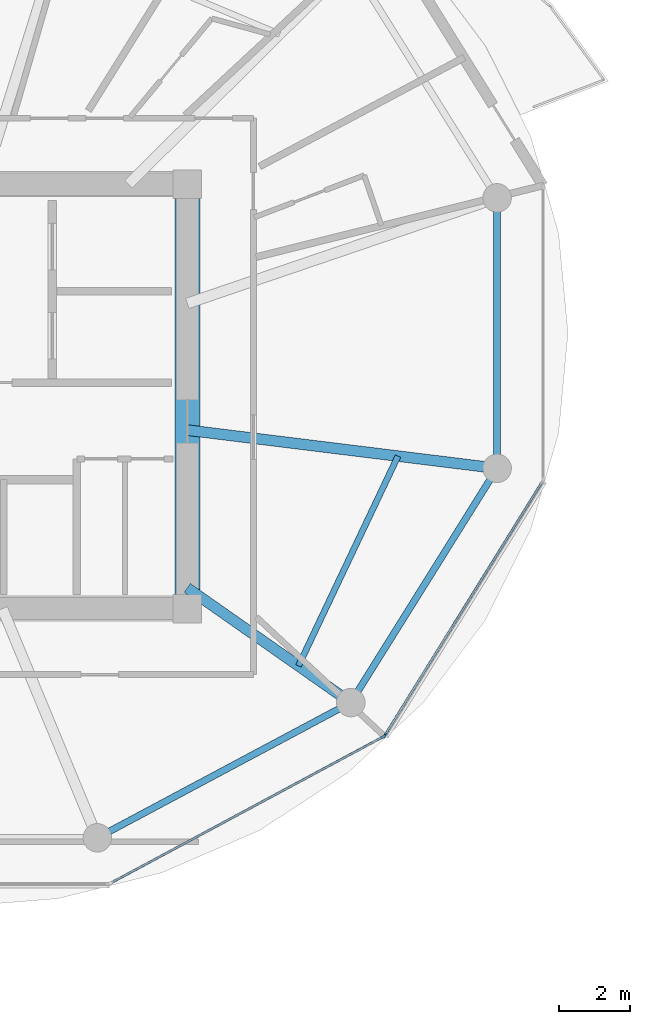
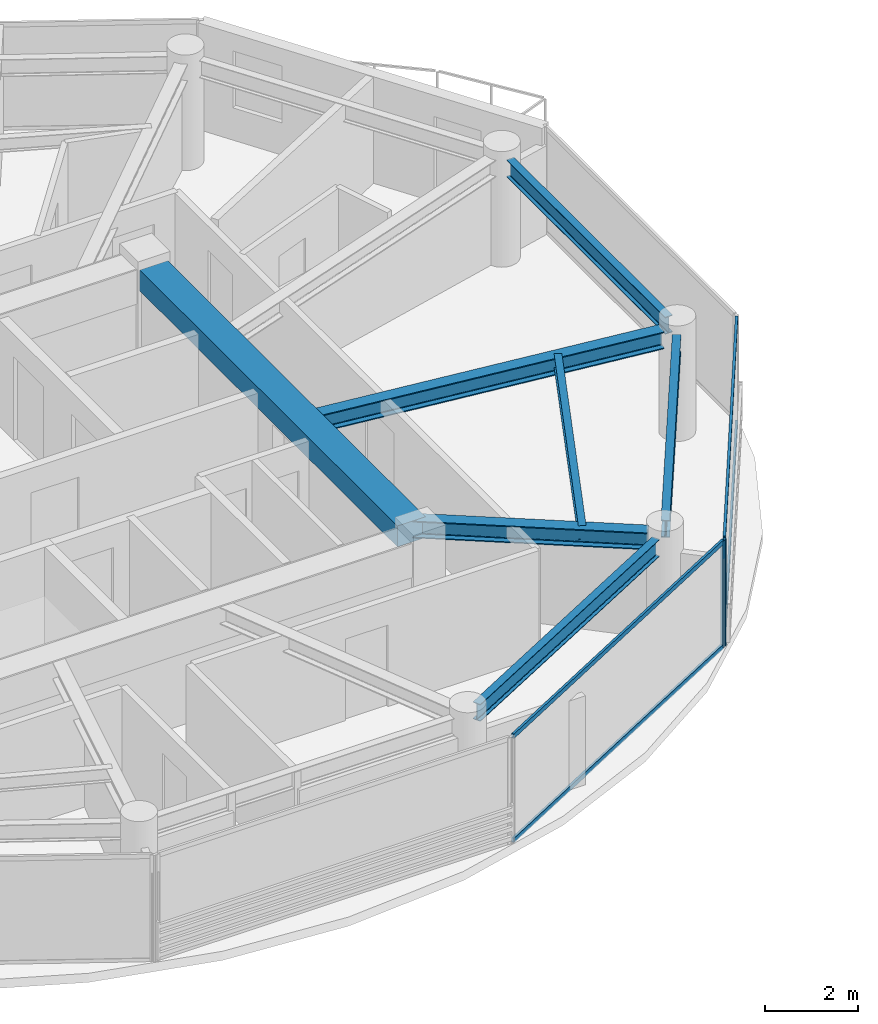
# One storey, part 3 of 21: 7 beams, 6 members, 2 elements without a shape of their own.
"""IFC4 building model written with IfcOpenShell, lengths in metres."""

import ifcopenshell
import ifcopenshell.guid

model = None  # the IFC model being written
_history = None  # IfcOwnerHistory: only IFC2X3 demands one
_inside = {}  # id of a spatial element -> (the spatial element, [elements in it])
_under = {}  # id of a project, library or spatial element -> (it, [spatial elements below it])
_declared = {}  # id of a project -> (the project, [libraries it declares])
_typed = {}  # id of a type object -> (the type object, [elements of that type])
_made_of = {}  # id of a material, layer set ... -> (it, [elements and type objects made of it])


def new_model(schema):
    """Start an empty IFC model of exactly this schema.

    Asked for "IFC4X3", IfcOpenShell would pick the latest addendum, in which some entities
    have other attributes; the version numbers below select the first issue.
    IFC2X3 requires an IfcOwnerHistory on every rooted entity: one is made here for all.
    """
    global model, _history
    if schema == "IFC4X3":
        model = ifcopenshell.file(schema_version=(4, 3, 0, 0))
    else:
        model = ifcopenshell.file(schema=schema)
    _inside.clear()
    _under.clear()
    _declared.clear()
    _typed.clear()
    _made_of.clear()
    _history = None
    if model.schema == "IFC2X3":
        org = make("IfcOrganization", Name="unknown")
        user = make(
            "IfcPersonAndOrganization",
            ThePerson=make("IfcPerson", FamilyName="unknown"),
            TheOrganization=org,
        )
        app = make(
            "IfcApplication",
            ApplicationDeveloper=org,
            Version="unknown",
            ApplicationFullName="unknown",
            ApplicationIdentifier="unknown",
        )
        _history = make(
            "IfcOwnerHistory",
            OwningUser=user,
            OwningApplication=app,
            ChangeAction="ADDED",
            CreationDate=0,
        )
    return model


def make(cls, **values):
    """One entity of the class cls with the attributes given. An attribute that is None is left unset."""
    return model.create_entity(
        cls, **{name: value for name, value in values.items() if value is not None}
    )


def rooted(cls, **values):
    """An entity with a GlobalId (a new one), such as an element, a storey or a relation."""
    return make(cls, GlobalId=ifcopenshell.guid.new(), OwnerHistory=_history, **values)


def si_unit(unit_type, name, prefix=None):
    """IfcSIUnit, for example si_unit("LENGTHUNIT", "METRE", prefix="MILLI")."""
    return make("IfcSIUnit", UnitType=unit_type, Prefix=prefix, Name=name)


def assignment(units):
    """IfcUnitAssignment: the units of a project."""
    return None if units is None else make("IfcUnitAssignment", Units=units)


def point(xyz):
    """IfcCartesianPoint."""
    return None if xyz is None else make("IfcCartesianPoint", Coordinates=xyz)


def direction(xyz):
    """IfcDirection."""
    return None if xyz is None else make("IfcDirection", DirectionRatios=xyz)


def frame(location, z_axis=None, x_axis=None):
    """IfcAxis2Placement3D, a coordinate frame: its origin and axes. An axis left out is left unset."""
    return make(
        "IfcAxis2Placement3D",
        Location=point(location),
        Axis=direction(z_axis),
        RefDirection=direction(x_axis),
    )


def frame_2d(location, x_axis=None):
    """IfcAxis2Placement2D, a coordinate frame in the plane: its origin and x axis."""
    return make(
        "IfcAxis2Placement2D", Location=point(location), RefDirection=direction(x_axis)
    )


def origin():
    """The frame at (0, 0, 0) with its axes left unset."""
    return frame((0.0, 0.0, 0.0))


def origin_2d():
    """The frame at (0, 0) in the plane with its x axis left unset."""
    return frame_2d((0.0, 0.0))


def place(relative_to, where):
    """IfcLocalPlacement: puts the frame where relative to a parent placement (None: the world)."""
    return make(
        "IfcLocalPlacement", PlacementRelTo=relative_to, RelativePlacement=where
    )


def context(
    kind, dimensions, precision=None, world=None, true_north=None, identifier=None
):
    """IfcGeometricRepresentationContext, for example the 3D "Model" context."""
    return make(
        "IfcGeometricRepresentationContext",
        ContextIdentifier=identifier,
        ContextType=kind,
        CoordinateSpaceDimension=dimensions,
        Precision=precision,
        WorldCoordinateSystem=world,
        TrueNorth=true_north,
    )


def subcontext(parent, identifier, kind, view, scale=None):
    """IfcGeometricRepresentationSubContext, for example "Body" below "Model"."""
    return make(
        "IfcGeometricRepresentationSubContext",
        ContextIdentifier=identifier,
        ContextType=kind,
        ParentContext=parent,
        TargetScale=scale,
        TargetView=view,
    )


def project(units=None, contexts=None):
    """IfcProject with its units and contexts."""
    return rooted(
        "IfcProject",
        Name="project",
        RepresentationContexts=contexts,
        UnitsInContext=assignment(units),
    )


def spatial(cls, under=None, at=None, **own):
    """A site, building, storey or space (cls), placed at a placement, below another one or the project."""
    s = rooted(cls, ObjectPlacement=at, **own)
    if under is not None:
        _under.setdefault(under.id(), (under, []))[1].append(s)
    return s


def profile(cls, at=None, kind="AREA", **sizes):
    """A parametric profile (cls). Its sizes go by their IFC names, for example OverallWidth=200.0."""
    return make(cls, ProfileType=kind, Position=at, **sizes)


def rectangle(**sizes):
    """IfcRectangleProfileDef."""
    return profile("IfcRectangleProfileDef", **sizes)


def i_section(**sizes):
    """IfcIShapeProfileDef."""
    return profile("IfcIShapeProfileDef", **sizes)


def extrude(swept, where, along, depth):
    """IfcExtrudedAreaSolid: the profile swept, set in the frame where, extruded along a direction by depth."""
    return make(
        "IfcExtrudedAreaSolid",
        SweptArea=swept,
        Position=where,
        ExtrudedDirection=direction(along),
        Depth=depth,
    )


def shape(context_of_items, identifier, shape_type, items):
    """IfcShapeRepresentation: the items that make up one representation, for example the "Body"."""
    return make(
        "IfcShapeRepresentation",
        ContextOfItems=context_of_items,
        RepresentationIdentifier=identifier,
        RepresentationType=shape_type,
        Items=items,
    )


def source(mapping_origin, context_of_items, identifier, shape_type, items):
    """IfcRepresentationMap: a shape defined once, which mapped items show again and again."""
    return make(
        "IfcRepresentationMap",
        MappingOrigin=mapping_origin,
        MappedRepresentation=shape(context_of_items, identifier, shape_type, items),
    )


def transform(
    local_origin,
    x_axis=None,
    y_axis=None,
    z_axis=None,
    scale=None,
    scale2=None,
    scale3=None,
    uniform=True,
):
    """IfcCartesianTransformationOperator3D, or its non-uniform kind. x_axis, y_axis, z_axis: its Axis1, 2, 3."""
    if uniform:
        return make(
            "IfcCartesianTransformationOperator3D",
            Axis1=direction(x_axis),
            Axis2=direction(y_axis),
            LocalOrigin=point(local_origin),
            Scale=scale,
            Axis3=direction(z_axis),
        )
    return make(
        "IfcCartesianTransformationOperator3DnonUniform",
        Axis1=direction(x_axis),
        Axis2=direction(y_axis),
        LocalOrigin=point(local_origin),
        Scale=scale,
        Axis3=direction(z_axis),
        Scale2=scale2,
        Scale3=scale3,
    )


def mapped(mapping_source, mapping_target):
    """IfcMappedItem: shows the shape of a source again, moved by a transform."""
    return make(
        "IfcMappedItem", MappingSource=mapping_source, MappingTarget=mapping_target
    )


def material(Name=None, Category=None):
    """IfcMaterial."""
    return make("IfcMaterial", Name=Name, Category=Category)


def layer(
    of_material, thickness, ventilated=None, Name=None, Category=None, Priority=None
):
    """IfcMaterialLayer: one layer of a wall or slab, of a material (None: an air gap)."""
    return make(
        "IfcMaterialLayer",
        Material=of_material,
        LayerThickness=thickness,
        IsVentilated=ventilated,
        Name=Name,
        Category=Category,
        Priority=Priority,
    )


def layer_set(layers, Name=None):
    """IfcMaterialLayerSet."""
    return make("IfcMaterialLayerSet", MaterialLayers=layers, LayerSetName=Name)


def material_profile(
    of_material, cross_section, Name=None, Category=None, Priority=None
):
    """IfcMaterialProfile: a cross section and its material."""
    return make(
        "IfcMaterialProfile",
        Name=Name,
        Material=of_material,
        Profile=cross_section,
        Priority=Priority,
        Category=Category,
    )


def profile_set(profiles, Name=None, composite=None):
    """IfcMaterialProfileSet."""
    return make(
        "IfcMaterialProfileSet",
        Name=Name,
        MaterialProfiles=profiles,
        CompositeProfile=composite,
    )


def made_of(thing, what):
    """Note that an element or type object is made of a material, layer set ...; save() writes the relation."""
    if what is not None:
        _made_of.setdefault(what.id(), (what, []))[1].append(thing)
    return thing


def type_object(cls, material=None, **own):
    """A type object (cls), such as IfcWallType, which elements share."""
    return made_of(rooted(cls, **own), material)


def type_shapes(of_type, sources):
    """Give a type object the sources (RepresentationMaps) that its elements show as mapped items."""
    of_type.RepresentationMaps = sources


def element(
    cls,
    number,
    at=None,
    inside=None,
    cuts=None,
    type_object=None,
    material=None,
    context=None,
    identifier="Body",
    shape_type=None,
    held_by="IfcProductDefinitionShape",
    body=None,
    shapes=None,
    **own,
):
    """One element of the class cls, such as IfcWall. Its Tag is "e" and its number.

    at: its placement. inside: the storey or other place that contains it. cuts: it is an
    opening in that element (IfcRelVoidsElement). A single representation is given by context,
    identifier, shape_type and body (its items); several are given by shapes. held_by: the class
    of the entity that holds the representations. save() writes the other relations.
    """
    e = rooted(cls, Tag="e%d" % number, ObjectPlacement=at, **own)
    if body is not None:
        shapes = [shape(context, identifier, shape_type, body)]
    if shapes is not None:
        e.Representation = make(held_by, Representations=shapes)
    if inside is not None:
        _inside.setdefault(inside.id(), (inside, []))[1].append(e)
    if cuts is not None:
        rooted(
            "IfcRelVoidsElement", RelatingBuildingElement=cuts, RelatedOpeningElement=e
        )
    if type_object is not None:
        _typed.setdefault(type_object.id(), (type_object, []))[1].append(e)
    return made_of(e, material)


def aggregate(whole, parts):
    """IfcRelAggregates: a whole, such as a stair, and the parts it consists of."""
    return rooted("IfcRelAggregates", RelatingObject=whole, RelatedObjects=parts)


def save(model, path):
    """Write the relations noted so far, then the file.

    IfcRelAggregates (storeys below a building ...), IfcRelContainedInSpatialStructure (elements
    in a storey), IfcRelDefinesByType, IfcRelAssociatesMaterial and IfcRelDeclares: one each for
    every whole, place, type object, material and project.
    """
    for whole, parts in _under.values():
        aggregate(whole, parts)
    for where, things in _inside.values():
        rooted(
            "IfcRelContainedInSpatialStructure",
            RelatedElements=things,
            RelatingStructure=where,
        )
    for kind, things in _typed.values():
        rooted("IfcRelDefinesByType", RelatedObjects=things, RelatingType=kind)
    for what, things in _made_of.values():
        rooted("IfcRelAssociatesMaterial", RelatedObjects=things, RelatingMaterial=what)
    for by, libraries in _declared.values():
        rooted("IfcRelDeclares", RelatingContext=by, RelatedDefinitions=libraries)
    model.write(path)


model = new_model("IFC4")

# Units and contexts
model_context = context("Model", 3, precision=1e-05, world=origin(), true_north=direction((0.0, 1.0)))
body_context = subcontext(model_context, "Body", "Model", "MODEL_VIEW")
ifc_project = project(units=[si_unit("LENGTHUNIT", "METRE"), si_unit("AREAUNIT", "SQUARE_METRE"), si_unit("VOLUMEUNIT", "CUBIC_METRE"), si_unit("PLANEANGLEUNIT", "RADIAN"), si_unit("MASSUNIT", "GRAM", prefix="KILO")], contexts=[model_context])

# Site, building, storey
site_placement = place(None, origin())
site = spatial("IfcSite", under=ifc_project, at=site_placement, CompositionType="ELEMENT")
building_placement = place(site_placement, origin())
building = spatial("IfcBuilding", under=site, at=building_placement, Name="Norrkilde Senior Care Towers", CompositionType="ELEMENT")
storey_placement = place(building_placement, frame((0.0, 0.0, 143.449951171875)))
storey = spatial("IfcBuildingStorey", under=building, at=storey_placement, Name="L44", CompositionType="ELEMENT", Elevation=143.449951171875)

# Beams
ifc_material_1 = material(Name="Concrete C60/75", Category="concrete")
ifc_material_profile_1 = material_profile(ifc_material_1, rectangle(XDim=0.699951171875, YDim=0.550048828125, at=origin_2d()), Name="RC BM 700x550")
ifc_profile_set_1 = profile_set([ifc_material_profile_1], Name="Concrete C60/75")
beam_type_1 = type_object("IfcBeamType", Name="Core Portal Coupling Beam 700x550", PredefinedType="USERDEFINED", material=ifc_profile_set_1)
shared_shape_1 = source(origin(), body_context, "Body", "SweptSolid", [
    extrude(rectangle(XDim=0.699951171875, YDim=0.550048828125, at=origin_2d()), origin(), (0.0, 0.0, 1.0), 11.14013671875),
])
type_shapes(beam_type_1, [shared_shape_1])
beam_1_placement = place(storey_placement, frame((-20.35009765625, -5.570068359375, 2.53515625), z_axis=(0.0, 1.0, 0.0), x_axis=(-1.0, 0.0, 0.0)))
element("IfcBeam", 1, at=beam_1_placement, inside=storey, type_object=beam_type_1, Name="L44 Core W E Coupling Girder", ObjectType="GIRDER", PredefinedType="USERDEFINED", context=body_context, shape_type="MappedRepresentation", body=[
    mapped(shared_shape_1, transform((0.0, 0.0, 0.0), x_axis=(1.0, 0.0, 0.0), y_axis=(0.0, 1.0, 0.0), z_axis=(0.0, 0.0, 1.0), scale=1.0)),
])
ifc_material_2 = material(Name="Steel S355", Category="steel")
ifc_material_profile_2 = material_profile(ifc_material_2, i_section(OverallWidth=0.18994140625, OverallDepth=0.449951171875, WebThickness=0.009521484375, FlangeThickness=0.0146484375, FilletRadius=0.02099609375, at=origin_2d()), Name="IPE 450")
ifc_profile_set_2 = profile_set([ifc_material_profile_2], Name="Steel S355")
beam_type_2 = type_object("IfcBeamType", Name="Perimeter Ring Spandrel Z3 IPE450", PredefinedType="SPANDREL", material=ifc_profile_set_2)
shared_shape_2 = source(origin(), body_context, "Body", "SweptSolid", [
    extrude(i_section(OverallWidth=0.18994140625, OverallDepth=0.449951171875, WebThickness=0.009521484375, FlangeThickness=0.0146484375, FilletRadius=0.02099609375, at=origin_2d()), origin(), (0.0, 0.0, 1.0), 6.86328125),
])
beam_2_placement = place(storey_placement, frame((-11.6650390625, -1.65625, 2.5849609375), z_axis=(0.0, 1.0, 0.0), x_axis=(-1.0, 0.0, 0.0)))
element("IfcBeam", 2, at=beam_2_placement, inside=storey, type_object=beam_type_2, Name="L44 Drum W Perimeter Spandrel 12", PredefinedType="SPANDREL", context=body_context, shape_type="MappedRepresentation", body=[
    mapped(shared_shape_2, transform((0.0, 0.0, 0.0), x_axis=(1.0, 0.0, 0.0), y_axis=(0.0, 1.0, 0.0), z_axis=(0.0, 0.0, 1.0), scale=1.0)),
])
shared_shape_3 = source(origin(), body_context, "Body", "SweptSolid", [
    extrude(i_section(OverallWidth=0.18994140625, OverallDepth=0.449951171875, WebThickness=0.009521484375, FlangeThickness=0.0146484375, FilletRadius=0.02099609375, at=origin_2d()), origin(), (0.0, 0.0, 1.0), 7.023193359375),
])
beam_3_placement = place(storey_placement, frame((-15.57666015625, -8.2783203125, 2.5849609375), z_axis=(0.529805197269, 0.848119362441, 0.0), x_axis=(-0.848119362441, 0.529805197269, 0.0)))
element("IfcBeam", 3, at=beam_3_placement, inside=storey, type_object=beam_type_2, Name="L44 Drum W Perimeter Spandrel 11", PredefinedType="SPANDREL", context=body_context, shape_type="MappedRepresentation", body=[
    mapped(shared_shape_3, transform((0.0, 0.0, 0.0), x_axis=(1.0, 0.0, 0.0), y_axis=(0.0, 1.0, 0.0), z_axis=(0.0, 0.0, 1.0), scale=1.0)),
])
shared_shape_4 = source(origin(), body_context, "Body", "SweptSolid", [
    extrude(i_section(OverallWidth=0.18994140625, OverallDepth=0.449951171875, WebThickness=0.009521484375, FlangeThickness=0.0146484375, FilletRadius=0.02099609375, at=origin_2d()), origin(), (0.0, 0.0, 1.0), 7.333984375),
])
type_shapes(beam_type_2, [shared_shape_2, shared_shape_3, shared_shape_4])
beam_4_placement = place(storey_placement, frame((-22.55517578125, -12.2060546875, 2.5849609375), z_axis=(0.882234038987, 0.470811109101, 0.0), x_axis=(-0.470811109101, 0.882234038987, 0.0)))
element("IfcBeam", 4, at=beam_4_placement, inside=storey, type_object=beam_type_2, Name="L44 Drum W Perimeter Spandrel 10", PredefinedType="SPANDREL", context=body_context, shape_type="MappedRepresentation", body=[
    mapped(shared_shape_4, transform((0.0, 0.0, 0.0), x_axis=(1.0, 0.0, 0.0), y_axis=(0.0, 1.0, 0.0), z_axis=(0.0, 0.0, 1.0), scale=1.0)),
])
ifc_material_profile_3 = material_profile(ifc_material_2, i_section(OverallWidth=0.300048828125, OverallDepth=0.449951171875, WebThickness=0.013916015625, FlangeThickness=0.02587890625, FilletRadius=0.027099609375, at=origin_2d()), Name="HEB 450")
ifc_profile_set_3 = profile_set([ifc_material_profile_3], Name="Steel S355")
beam_type_3 = type_object("IfcBeamType", Name="Radial Floor Beam Z3 HEB450", PredefinedType="BEAM", material=ifc_profile_set_3)
shared_shape_5 = source(origin(), body_context, "Body", "SweptSolid", [
    extrude(i_section(OverallWidth=0.300048828125, OverallDepth=0.449951171875, WebThickness=0.013916015625, FlangeThickness=0.02587890625, FilletRadius=0.027099609375, at=origin_2d()), origin(), (0.0, 0.0, 1.0), 5.23828125),
])
beam_5_placement = place(storey_placement, frame((-20.35009765625, -5.3681640625, 2.5849609375), z_axis=(0.818592061291, -0.574375345215, 0.0), x_axis=(0.574375345215, 0.818592061291, 0.0)))
element("IfcBeam", 5, at=beam_5_placement, inside=storey, type_object=beam_type_3, Name="L44 Drum W Radial Floor Beam 11", PredefinedType="BEAM", context=body_context, shape_type="MappedRepresentation", body=[
    mapped(shared_shape_5, transform((0.0, 0.0, 0.0), x_axis=(1.0, 0.0, 0.0), y_axis=(0.0, 1.0, 0.0), z_axis=(0.0, 0.0, 1.0), scale=1.0)),
])
shared_shape_6 = source(origin(), body_context, "Body", "SweptSolid", [
    extrude(i_section(OverallWidth=0.300048828125, OverallDepth=0.449951171875, WebThickness=0.013916015625, FlangeThickness=0.02587890625, FilletRadius=0.027099609375, at=origin_2d()), origin(), (0.0, 0.0, 1.0), 8.390869140625),
])
type_shapes(beam_type_3, [shared_shape_5, shared_shape_6])
beam_6_placement = place(storey_placement, frame((-20.35009765625, -0.9443359375, 2.5849609375), z_axis=(0.99246916403, -0.122494728249, 0.0), x_axis=(0.122494728249, 0.99246916403, 0.0)))
element("IfcBeam", 6, at=beam_6_placement, inside=storey, type_object=beam_type_3, Name="L44 Drum W Radial Floor Beam 12", PredefinedType="BEAM", context=body_context, shape_type="MappedRepresentation", body=[
    mapped(shared_shape_6, transform((0.0, 0.0, 0.0), x_axis=(1.0, 0.0, 0.0), y_axis=(0.0, 1.0, 0.0), z_axis=(0.0, 0.0, 1.0), scale=1.0)),
])
ifc_material_profile_4 = material_profile(ifc_material_2, i_section(OverallWidth=0.169921875, OverallDepth=0.360107421875, WebThickness=0.008056640625, FlangeThickness=0.0126953125, FilletRadius=0.01806640625, at=origin_2d()), Name="IPE 360")
ifc_profile_set_4 = profile_set([ifc_material_profile_4], Name="Steel S355")
beam_type_4 = type_object("IfcBeamType", Name="Secondary Floor Joist IPE360", PredefinedType="JOIST", material=ifc_profile_set_4)
shared_shape_7 = source(origin(), body_context, "Body", "SweptSolid", [
    extrude(i_section(OverallWidth=0.169921875, OverallDepth=0.360107421875, WebThickness=0.008056640625, FlangeThickness=0.0126953125, FilletRadius=0.01806640625, at=origin_2d()), origin(), (0.0, 0.0, 1.0), 6.50927734375),
])
type_shapes(beam_type_4, [shared_shape_7])
beam_7_placement = place(storey_placement, frame((-17.23388671875, -7.5546875, 2.630126953125), z_axis=(0.428544169129, 0.90352083269, 0.0), x_axis=(-0.90352083269, 0.428544169129, 0.0)))
element("IfcBeam", 7, at=beam_7_placement, inside=storey, type_object=beam_type_4, Name="L44 Drum W Secondary Floor Joist 4", PredefinedType="JOIST", context=body_context, shape_type="MappedRepresentation", body=[
    mapped(shared_shape_7, transform((0.0, 0.0, 0.0), x_axis=(1.0, 0.0, 0.0), y_axis=(0.0, 1.0, 0.0), z_axis=(0.0, 0.0, 1.0), scale=1.0)),
])

# Curtain wall, member
ifc_material_3 = material(Name="Triple Low-E Insulated Glazing", Category="glass")
ifc_layer = layer(ifc_material_3, 0.18994140625)
ifc_layer_set = layer_set([ifc_layer], Name="Triple Low-E Insulated Glazing")
curtain_wall_type = type_object("IfcCurtainWallType", Name="CW4 Zone 3 Senior Residence Curtain Wall", PredefinedType="NOTDEFINED", material=ifc_layer_set)
curtain_wall_1_placement = place(storey_placement, origin())
curtain_wall_1 = element("IfcCurtainWall", 8, at=curtain_wall_1_placement, inside=storey, type_object=curtain_wall_type, Name="L44 Drum W Curtain Wall 09", PredefinedType="NOTDEFINED")
ifc_material_4 = material(Name="Anodised Aluminium", Category="aluminium")
ifc_material_profile_5 = material_profile(ifc_material_4, rectangle(XDim=0.06494140625, YDim=0.14990234375, at=origin_2d()), Name="ALU MULL 65x150")
ifc_profile_set_5 = profile_set([ifc_material_profile_5], Name="Anodised Aluminium")
member_type_1 = type_object("IfcMemberType", Name="Curtain Wall Mullion Z3-Z4 65x150", PredefinedType="MULLION", material=ifc_profile_set_5)
shared_shape_8 = source(origin(), body_context, "Body", "SweptSolid", [
    extrude(rectangle(XDim=0.06494140625, YDim=0.14990234375, at=origin_2d()), origin(), (0.0, 0.0, 1.0), 2.81005859375),
])
type_shapes(member_type_1, [shared_shape_8])
member_1_placement = place(storey_placement, frame((-14.85546875, -9.53955078125, 0.0), z_axis=(0.0, 0.0, 1.0), x_axis=(0.47311715104, -0.880999524059, 0.0)))
member_1 = element("IfcMember", 9, at=member_1_placement, type_object=member_type_1, Name="CW-4 mullion 1", PredefinedType="MULLION", context=body_context, shape_type="MappedRepresentation", body=[
    mapped(shared_shape_8, transform((0.0, 0.0, 0.0), x_axis=(1.0, 0.0, 0.0), y_axis=(0.0, 1.0, 0.0), z_axis=(0.0, 0.0, 1.0), scale=1.0)),
])

# Curtain wall, members
curtain_wall_2_placement = place(storey_placement, origin())
curtain_wall_2 = element("IfcCurtainWall", 10, at=curtain_wall_2_placement, inside=storey, type_object=curtain_wall_type, Name="L44 Drum W Curtain Wall 10", PredefinedType="NOTDEFINED")
member_2_placement = place(storey_placement, frame((-14.809814453125, -9.49658203125, 0.0), z_axis=(0.0, 0.0, 1.0), x_axis=(0.84963405474, -0.52737270789, 0.0)))
member_2 = element("IfcMember", 11, at=member_2_placement, type_object=member_type_1, Name="CW-4 mullion 2", PredefinedType="MULLION", context=body_context, shape_type="MappedRepresentation", body=[
    mapped(shared_shape_8, transform((0.0, 0.0, 0.0), x_axis=(1.0, 0.0, 0.0), y_axis=(0.0, 1.0, 0.0), z_axis=(0.0, 0.0, 1.0), scale=1.0)),
])
ifc_material_profile_6 = material_profile(ifc_material_4, rectangle(XDim=0.06005859375, YDim=0.1201171875, at=origin_2d()), Name="ALU TRAN 60x120")
ifc_profile_set_6 = profile_set([ifc_material_profile_6], Name="Anodised Aluminium")
member_type_2 = type_object("IfcMemberType", Name="Curtain Wall Transom Typical 60x120", PredefinedType="USERDEFINED", material=ifc_profile_set_6)
shared_shape_9 = source(origin(), body_context, "Body", "SweptSolid", [
    extrude(rectangle(XDim=0.06005859375, YDim=0.1201171875, at=origin_2d()), origin(), (0.0, 0.0, 1.0), 8.301513671875),
])
member_3_placement = place(storey_placement, frame((-10.414794921875, -2.415771484375, 0.030029296875), z_axis=(-0.527368718394, -0.849636531029, 0.0), x_axis=(0.849636531029, -0.527368718394, 0.0)))
member_3 = element("IfcMember", 12, at=member_3_placement, type_object=member_type_2, Name="CW-4 transom 1.1", ObjectType="TRANSOM", PredefinedType="USERDEFINED", context=body_context, shape_type="MappedRepresentation", body=[
    mapped(shared_shape_9, transform((0.0, 0.0, 0.0), x_axis=(1.0, 0.0, 0.0), y_axis=(0.0, 1.0, 0.0), z_axis=(0.0, 0.0, 1.0), scale=1.0)),
])
member_4_placement = place(storey_placement, frame((-10.414794921875, -2.415771484375, 2.780029296875), z_axis=(-0.527368718394, -0.849636531029, 0.0), x_axis=(0.849636531029, -0.527368718394, 0.0)))
member_4 = element("IfcMember", 13, at=member_4_placement, type_object=member_type_2, Name="CW-4 transom 1.2", ObjectType="TRANSOM", PredefinedType="USERDEFINED", context=body_context, shape_type="MappedRepresentation", body=[
    mapped(shared_shape_9, transform((0.0, 0.0, 0.0), x_axis=(1.0, 0.0, 0.0), y_axis=(0.0, 1.0, 0.0), z_axis=(0.0, 0.0, 1.0), scale=1.0)),
])
aggregate(curtain_wall_2, [member_2, member_3, member_4])

# Member
shared_shape_10 = source(origin(), body_context, "Body", "SweptSolid", [
    extrude(rectangle(XDim=0.06005859375, YDim=0.1201171875, at=origin_2d()), origin(), (0.0, 0.0, 1.0), 8.61181640625),
])
type_shapes(member_type_2, [shared_shape_9, shared_shape_10])
member_5_placement = place(storey_placement, frame((-14.88427734375, -9.554931640625, 0.030029296875), z_axis=(-0.880993991641, -0.473127452906, 0.0), x_axis=(0.473127452906, -0.880993991641, 0.0)))
member_5 = element("IfcMember", 14, at=member_5_placement, type_object=member_type_2, Name="CW-4 transom 1.1", ObjectType="TRANSOM", PredefinedType="USERDEFINED", context=body_context, shape_type="MappedRepresentation", body=[
    mapped(shared_shape_10, transform((0.0, 0.0, 0.0), x_axis=(1.0, 0.0, 0.0), y_axis=(0.0, 1.0, 0.0), z_axis=(0.0, 0.0, 1.0), scale=1.0)),
])

member_6_placement = place(storey_placement, frame((-14.88427734375, -9.554931640625, 2.780029296875), z_axis=(-0.880993991641, -0.473127452906, 0.0), x_axis=(0.473127452906, -0.880993991641, 0.0)))
member_6 = element("IfcMember", 15, at=member_6_placement, type_object=member_type_2, Name="CW-4 transom 1.2", ObjectType="TRANSOM", PredefinedType="USERDEFINED", context=body_context, shape_type="MappedRepresentation", body=[
    mapped(shared_shape_10, transform((0.0, 0.0, 0.0), x_axis=(1.0, 0.0, 0.0), y_axis=(0.0, 1.0, 0.0), z_axis=(0.0, 0.0, 1.0), scale=1.0)),
])

aggregate(curtain_wall_1, [member_1, member_5, member_6])

save(model, "model.ifc")
